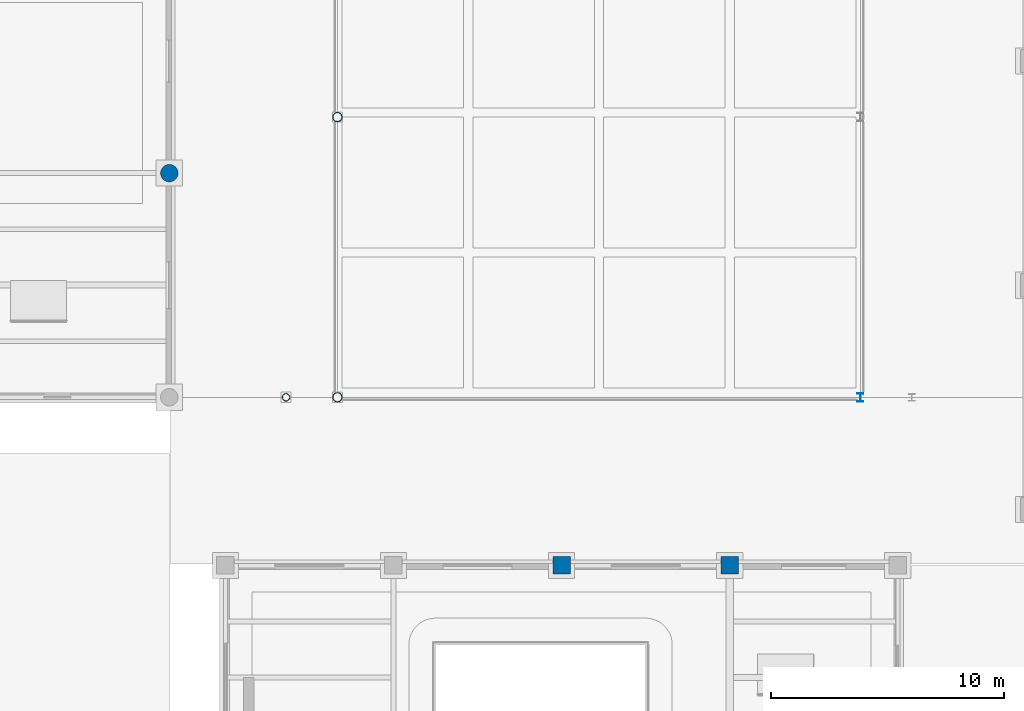
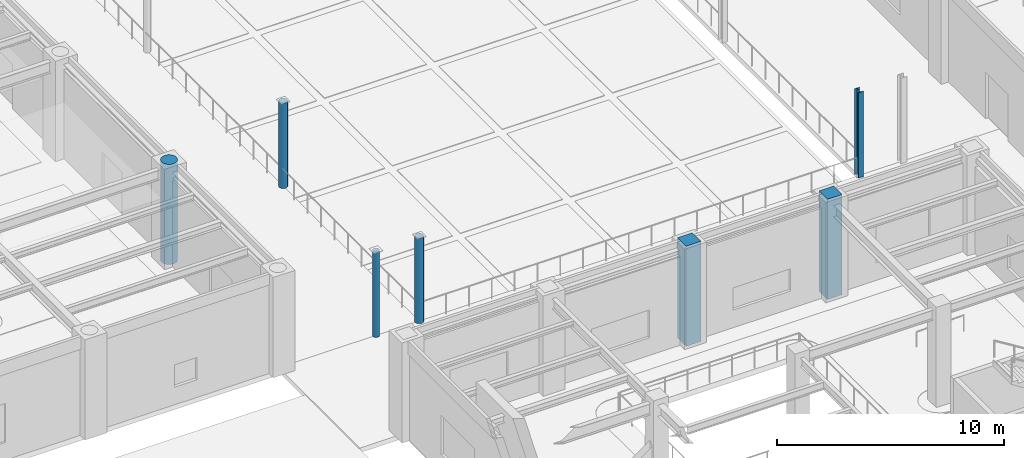
# One storey, part 8 of 164: 7 columns.
"""IFC4 building model written with IfcOpenShell, lengths in metres."""

from ifc_helpers import new_model, si_unit, direction, frame, origin, origin_2d, place, context, subcontext, project, spatial, rectangle, circle, hollow_circle, i_section, extrude, material, material_profile, profile_set, type_object, element, save


model = new_model("IFC4")

# Units and contexts
model_context = context("Model", 3, precision=1e-05, world=origin(), true_north=direction((0.0, 1.0)))
body_context = subcontext(model_context, "Body", "Model", "MODEL_VIEW")
ifc_project = project(units=[si_unit("LENGTHUNIT", "METRE"), si_unit("AREAUNIT", "SQUARE_METRE"), si_unit("VOLUMEUNIT", "CUBIC_METRE"), si_unit("PLANEANGLEUNIT", "RADIAN"), si_unit("MASSUNIT", "GRAM", prefix="KILO")], contexts=[model_context])

# Site, building, storey
site_placement = place(None, origin())
site = spatial("IfcSite", under=ifc_project, at=site_placement, CompositionType="ELEMENT")
building_placement = place(site_placement, origin())
building = spatial("IfcBuilding", under=site, at=building_placement, Name="Mavantir Sound Aquarium", CompositionType="ELEMENT")
storey_placement = place(building_placement, origin())
storey = spatial("IfcBuildingStorey", under=building, at=storey_placement, Name="L00", CompositionType="ELEMENT", Elevation=0.0)

# Columns
ifc_material_1 = material(Name="Hollow Structural Steel ASTM A500 GrC", Category="steel")
ifc_material_profile_1 = material_profile(ifc_material_1, hollow_circle(Radius=0.161865234375, WallThickness=0.012451171875, at=origin_2d()), Name="CHS 323.9X12.5")
ifc_profile_set_1 = profile_set([ifc_material_profile_1], Name="Hollow Structural Steel ASTM A500 GrC")
column_type_1 = type_object("IfcColumnType", Name="COL-CHS324-E", PredefinedType="COLUMN", material=ifc_profile_set_1)
column_1_placement = place(storey_placement, frame((69.800048828125, 40.800048828125, 0.0), z_axis=(0.0, 0.0, 1.0), x_axis=(1.0, 0.0, 0.0)))
element("IfcColumn", 1, at=column_1_placement, inside=storey, type_object=column_type_1, Name="Tidal water court colonnade pier 5", PredefinedType="COLUMN", context=body_context, shape_type="SweptSolid", body=[
    extrude(hollow_circle(Radius=0.161865234375, WallThickness=0.012451171875, at=origin_2d()), origin(), (0.0, 0.0, 1.0), 4.60009765625),
])
ifc_material_profile_2 = material_profile(ifc_material_1, hollow_circle(Radius=0.203125, WallThickness=0.01611328125, at=origin_2d()), Name="CHS 406.4X16")
ifc_profile_set_2 = profile_set([ifc_material_profile_2], Name="Hollow Structural Steel ASTM A500 GrC")
column_type_2 = type_object("IfcColumnType", Name="COL-CHS406-E", PredefinedType="COLUMN", material=ifc_profile_set_2)
for number, where, z_axis, x_axis, name in (
    (2, (72.0, 40.800048828125, 0.0), (0.0, 0.0, 1.0), (1.0, 0.0, 0.0), "Tidal water court colonnade pier 1"),
    (3, (72.0, 52.800048828125, 0.0), (0.0, 0.0, 1.0), (1.0, 0.0, 0.0), "Tidal water court colonnade pier 2"),
):
    element("IfcColumn", number, at=place(storey_placement, frame(where, z_axis=z_axis, x_axis=x_axis)), inside=storey, type_object=column_type_2, Name=name, PredefinedType="COLUMN", context=body_context, shape_type="SweptSolid", body=[
        extrude(hollow_circle(Radius=0.203125, WallThickness=0.01611328125, at=origin_2d()), origin(), (0.0, 0.0, 1.0), 4.60009765625),
    ])
ifc_material_2 = material(Name="Concrete C40/50", Category="concrete")
ifc_material_profile_3 = material_profile(ifc_material_2, rectangle(XDim=0.75, YDim=0.75, at=origin_2d()), Name="RC 750X750")
ifc_profile_set_3 = profile_set([ifc_material_profile_3], Name="Concrete C40/50")
column_type_3 = type_object("IfcColumnType", Name="COL-RC750-I", PredefinedType="COLUMN", material=ifc_profile_set_3)
for number, where, z_axis, x_axis, name in (
    (4, (81.60009765625, 33.60009765625, 0.0), (0.0, 0.0, 1.0), (1.0, 0.0, 0.0), "L00 column RC-C75 (V7)"),
    (5, (88.800048828125, 33.60009765625, 0.0), (0.0, 0.0, 1.0), (1.0, 0.0, 0.0), "L00 column RC-C75 (V7)"),
):
    element("IfcColumn", number, at=place(storey_placement, frame(where, z_axis=z_axis, x_axis=x_axis)), inside=storey, type_object=column_type_3, Name=name, PredefinedType="COLUMN", context=body_context, shape_type="SweptSolid", body=[
        extrude(rectangle(XDim=0.75, YDim=0.75, at=origin_2d()), origin(), (0.0, 0.0, 1.0), 5.39990234375),
    ])
ifc_material_profile_4 = material_profile(ifc_material_2, circle(Radius=0.375, at=origin_2d()), Name="RC D750")
ifc_profile_set_4 = profile_set([ifc_material_profile_4], Name="Concrete C40/50")
column_type_4 = type_object("IfcColumnType", Name="COL-RCD750-I", PredefinedType="COLUMN", material=ifc_profile_set_4)
column_2_placement = place(storey_placement, frame((64.800048828125, 50.39990234375, 0.0), z_axis=(0.0, 0.0, 1.0), x_axis=(1.0, 0.0, 0.0)))
element("IfcColumn", 6, at=column_2_placement, inside=storey, type_object=column_type_4, Name="L00 column RC-CD75 (V2)", PredefinedType="COLUMN", context=body_context, shape_type="SweptSolid", body=[
    extrude(circle(Radius=0.375, at=origin_2d()), origin(), (0.0, 0.0, 1.0), 5.39990234375),
])
ifc_material_3 = material(Name="Structural Steel ASTM A992 Gr50", Category="steel")
ifc_material_profile_5 = material_profile(ifc_material_3, i_section(OverallWidth=0.257080078125, OverallDepth=0.363037109375, WebThickness=0.012939453125, FlangeThickness=0.021728515625, FilletRadius=0.014892578125, at=origin_2d()), Name="W360X122")
ifc_profile_set_5 = profile_set([ifc_material_profile_5], Name="Structural Steel ASTM A992 Gr50")
column_type_5 = type_object("IfcColumnType", Name="COL-W360X122-E", PredefinedType="COLUMN", material=ifc_profile_set_5)
column_3_placement = place(storey_placement, frame((94.39990234375, 40.800048828125, 0.0), z_axis=(0.0, 0.0, 1.0), x_axis=(1.0, 0.0, 0.0)))
element("IfcColumn", 7, at=column_3_placement, inside=storey, type_object=column_type_5, Name="Tidal water court colonnade pier 7", PredefinedType="COLUMN", context=body_context, shape_type="SweptSolid", body=[
    extrude(i_section(OverallWidth=0.257080078125, OverallDepth=0.363037109375, WebThickness=0.012939453125, FlangeThickness=0.021728515625, FilletRadius=0.014892578125, at=origin_2d()), origin(), (0.0, 0.0, 1.0), 4.60009765625),
])

save(model, "model.ifc")
